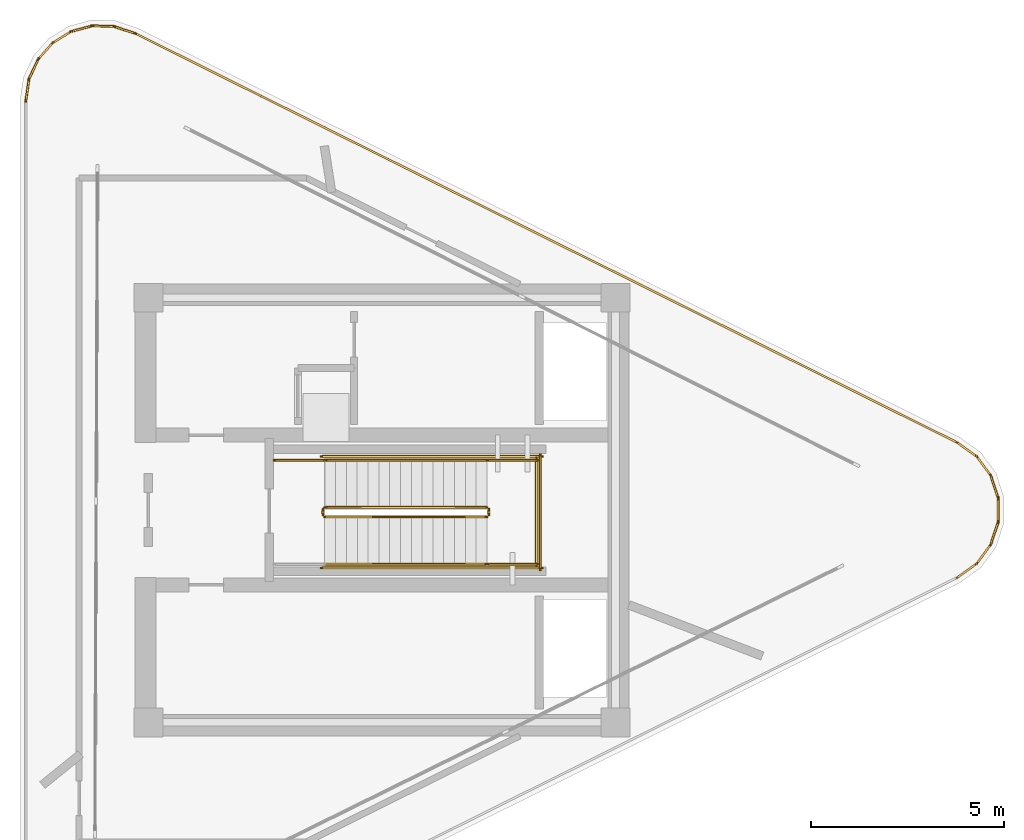
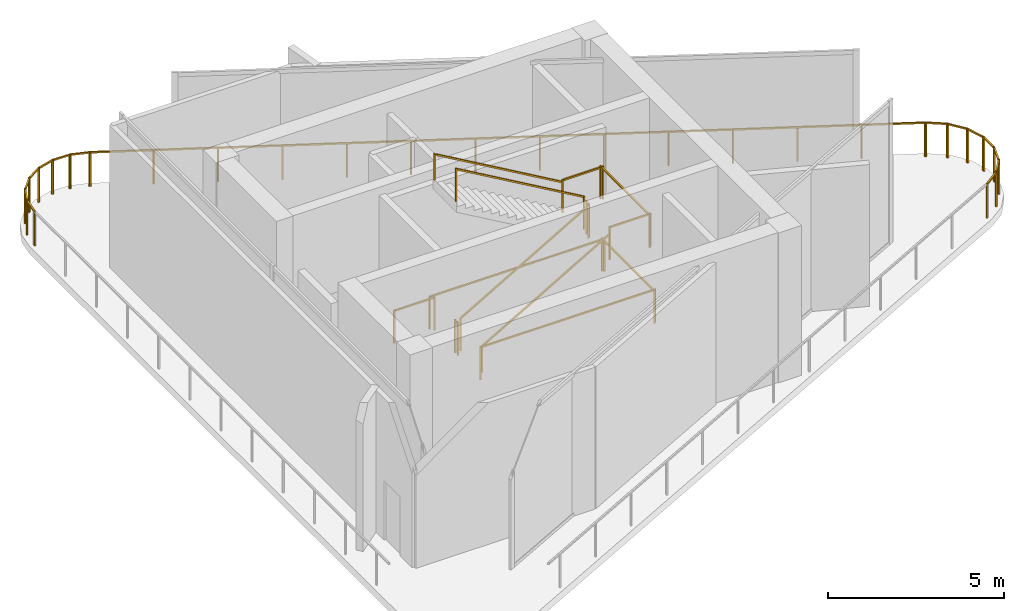
# One storey, part 4 of 5: 28 railings.
"""IFC4 building model written with IfcOpenShell, lengths in metres."""

import ifcopenshell
import ifcopenshell.guid

model = None  # the IFC model being written
_history = None  # IfcOwnerHistory: only IFC2X3 demands one
_inside = {}  # id of a spatial element -> (the spatial element, [elements in it])
_under = {}  # id of a project, library or spatial element -> (it, [spatial elements below it])
_declared = {}  # id of a project -> (the project, [libraries it declares])
_typed = {}  # id of a type object -> (the type object, [elements of that type])
_made_of = {}  # id of a material, layer set ... -> (it, [elements and type objects made of it])


def new_model(schema):
    """Start an empty IFC model of exactly this schema.

    Asked for "IFC4X3", IfcOpenShell would pick the latest addendum, in which some entities
    have other attributes; the version numbers below select the first issue.
    IFC2X3 requires an IfcOwnerHistory on every rooted entity: one is made here for all.
    """
    global model, _history
    if schema == "IFC4X3":
        model = ifcopenshell.file(schema_version=(4, 3, 0, 0))
    else:
        model = ifcopenshell.file(schema=schema)
    _inside.clear()
    _under.clear()
    _declared.clear()
    _typed.clear()
    _made_of.clear()
    _history = None
    if model.schema == "IFC2X3":
        org = make("IfcOrganization", Name="unknown")
        user = make(
            "IfcPersonAndOrganization",
            ThePerson=make("IfcPerson", FamilyName="unknown"),
            TheOrganization=org,
        )
        app = make(
            "IfcApplication",
            ApplicationDeveloper=org,
            Version="unknown",
            ApplicationFullName="unknown",
            ApplicationIdentifier="unknown",
        )
        _history = make(
            "IfcOwnerHistory",
            OwningUser=user,
            OwningApplication=app,
            ChangeAction="ADDED",
            CreationDate=0,
        )
    return model


def make(cls, **values):
    """One entity of the class cls with the attributes given. An attribute that is None is left unset."""
    return model.create_entity(
        cls, **{name: value for name, value in values.items() if value is not None}
    )


def rooted(cls, **values):
    """An entity with a GlobalId (a new one), such as an element, a storey or a relation."""
    return make(cls, GlobalId=ifcopenshell.guid.new(), OwnerHistory=_history, **values)


def si_unit(unit_type, name, prefix=None):
    """IfcSIUnit, for example si_unit("LENGTHUNIT", "METRE", prefix="MILLI")."""
    return make("IfcSIUnit", UnitType=unit_type, Prefix=prefix, Name=name)


def assignment(units):
    """IfcUnitAssignment: the units of a project."""
    return None if units is None else make("IfcUnitAssignment", Units=units)


def point(xyz):
    """IfcCartesianPoint."""
    return None if xyz is None else make("IfcCartesianPoint", Coordinates=xyz)


def direction(xyz):
    """IfcDirection."""
    return None if xyz is None else make("IfcDirection", DirectionRatios=xyz)


def frame(location, z_axis=None, x_axis=None):
    """IfcAxis2Placement3D, a coordinate frame: its origin and axes. An axis left out is left unset."""
    return make(
        "IfcAxis2Placement3D",
        Location=point(location),
        Axis=direction(z_axis),
        RefDirection=direction(x_axis),
    )


def frame_2d(location, x_axis=None):
    """IfcAxis2Placement2D, a coordinate frame in the plane: its origin and x axis."""
    return make(
        "IfcAxis2Placement2D", Location=point(location), RefDirection=direction(x_axis)
    )


def origin():
    """The frame at (0, 0, 0) with its axes left unset."""
    return frame((0.0, 0.0, 0.0))


def origin_2d():
    """The frame at (0, 0) in the plane with its x axis left unset."""
    return frame_2d((0.0, 0.0))


def place(relative_to, where):
    """IfcLocalPlacement: puts the frame where relative to a parent placement (None: the world)."""
    return make(
        "IfcLocalPlacement", PlacementRelTo=relative_to, RelativePlacement=where
    )


def context(
    kind, dimensions, precision=None, world=None, true_north=None, identifier=None
):
    """IfcGeometricRepresentationContext, for example the 3D "Model" context."""
    return make(
        "IfcGeometricRepresentationContext",
        ContextIdentifier=identifier,
        ContextType=kind,
        CoordinateSpaceDimension=dimensions,
        Precision=precision,
        WorldCoordinateSystem=world,
        TrueNorth=true_north,
    )


def subcontext(parent, identifier, kind, view, scale=None):
    """IfcGeometricRepresentationSubContext, for example "Body" below "Model"."""
    return make(
        "IfcGeometricRepresentationSubContext",
        ContextIdentifier=identifier,
        ContextType=kind,
        ParentContext=parent,
        TargetScale=scale,
        TargetView=view,
    )


def project(units=None, contexts=None):
    """IfcProject with its units and contexts."""
    return rooted(
        "IfcProject",
        Name="project",
        RepresentationContexts=contexts,
        UnitsInContext=assignment(units),
    )


def spatial(cls, under=None, at=None, **own):
    """A site, building, storey or space (cls), placed at a placement, below another one or the project."""
    s = rooted(cls, ObjectPlacement=at, **own)
    if under is not None:
        _under.setdefault(under.id(), (under, []))[1].append(s)
    return s


def profile(cls, at=None, kind="AREA", **sizes):
    """A parametric profile (cls). Its sizes go by their IFC names, for example OverallWidth=200.0."""
    return make(cls, ProfileType=kind, Position=at, **sizes)


def rectangle(**sizes):
    """IfcRectangleProfileDef."""
    return profile("IfcRectangleProfileDef", **sizes)


def extrude(swept, where, along, depth):
    """IfcExtrudedAreaSolid: the profile swept, set in the frame where, extruded along a direction by depth."""
    return make(
        "IfcExtrudedAreaSolid",
        SweptArea=swept,
        Position=where,
        ExtrudedDirection=direction(along),
        Depth=depth,
    )


def shape(context_of_items, identifier, shape_type, items):
    """IfcShapeRepresentation: the items that make up one representation, for example the "Body"."""
    return make(
        "IfcShapeRepresentation",
        ContextOfItems=context_of_items,
        RepresentationIdentifier=identifier,
        RepresentationType=shape_type,
        Items=items,
    )


def material(Name=None, Category=None):
    """IfcMaterial."""
    return make("IfcMaterial", Name=Name, Category=Category)


def made_of(thing, what):
    """Note that an element or type object is made of a material, layer set ...; save() writes the relation."""
    if what is not None:
        _made_of.setdefault(what.id(), (what, []))[1].append(thing)
    return thing


def type_object(cls, material=None, **own):
    """A type object (cls), such as IfcWallType, which elements share."""
    return made_of(rooted(cls, **own), material)


def element(
    cls,
    number,
    at=None,
    inside=None,
    cuts=None,
    type_object=None,
    material=None,
    context=None,
    identifier="Body",
    shape_type=None,
    held_by="IfcProductDefinitionShape",
    body=None,
    shapes=None,
    **own,
):
    """One element of the class cls, such as IfcWall. Its Tag is "e" and its number.

    at: its placement. inside: the storey or other place that contains it. cuts: it is an
    opening in that element (IfcRelVoidsElement). A single representation is given by context,
    identifier, shape_type and body (its items); several are given by shapes. held_by: the class
    of the entity that holds the representations. save() writes the other relations.
    """
    e = rooted(cls, Tag="e%d" % number, ObjectPlacement=at, **own)
    if body is not None:
        shapes = [shape(context, identifier, shape_type, body)]
    if shapes is not None:
        e.Representation = make(held_by, Representations=shapes)
    if inside is not None:
        _inside.setdefault(inside.id(), (inside, []))[1].append(e)
    if cuts is not None:
        rooted(
            "IfcRelVoidsElement", RelatingBuildingElement=cuts, RelatedOpeningElement=e
        )
    if type_object is not None:
        _typed.setdefault(type_object.id(), (type_object, []))[1].append(e)
    return made_of(e, material)


def aggregate(whole, parts):
    """IfcRelAggregates: a whole, such as a stair, and the parts it consists of."""
    return rooted("IfcRelAggregates", RelatingObject=whole, RelatedObjects=parts)


def save(model, path):
    """Write the relations noted so far, then the file.

    IfcRelAggregates (storeys below a building ...), IfcRelContainedInSpatialStructure (elements
    in a storey), IfcRelDefinesByType, IfcRelAssociatesMaterial and IfcRelDeclares: one each for
    every whole, place, type object, material and project.
    """
    for whole, parts in _under.values():
        aggregate(whole, parts)
    for where, things in _inside.values():
        rooted(
            "IfcRelContainedInSpatialStructure",
            RelatedElements=things,
            RelatingStructure=where,
        )
    for kind, things in _typed.values():
        rooted("IfcRelDefinesByType", RelatedObjects=things, RelatingType=kind)
    for what, things in _made_of.values():
        rooted("IfcRelAssociatesMaterial", RelatedObjects=things, RelatingMaterial=what)
    for by, libraries in _declared.values():
        rooted("IfcRelDeclares", RelatingContext=by, RelatedDefinitions=libraries)
    model.write(path)


model = new_model("IFC4")

# Units and contexts
model_context = context("Model", 3, precision=1e-05, world=origin(), true_north=direction((0.0, 1.0)))
body_context = subcontext(model_context, "Body", "Model", "MODEL_VIEW")
ifc_project = project(units=[si_unit("LENGTHUNIT", "METRE"), si_unit("AREAUNIT", "SQUARE_METRE"), si_unit("VOLUMEUNIT", "CUBIC_METRE"), si_unit("PLANEANGLEUNIT", "RADIAN"), si_unit("MASSUNIT", "GRAM", prefix="KILO")], contexts=[model_context])

# Site, building, storey
site_placement = place(None, origin())
site = spatial("IfcSite", under=ifc_project, at=site_placement, CompositionType="ELEMENT")
building_placement = place(site_placement, origin())
building = spatial("IfcBuilding", under=site, at=building_placement, Name="Yunling Apex Tower", CompositionType="ELEMENT")
storey_placement = place(building_placement, frame((0.0, 0.0, 328.25)))
storey = spatial("IfcBuildingStorey", under=building, at=storey_placement, Name="C03", CompositionType="ELEMENT", Elevation=328.25)

# Railings
ifc_material_1 = material(Name="Bronze anodised aluminium", Category="aluminium")
railing_type_1 = type_object("IfcRailingType", Name="RL-BAL-1200", PredefinedType="BALUSTRADE", material=ifc_material_1)
railing_1_placement = place(storey_placement, frame((-9.228515625, 10.58349609375, 0.0)))
element("IfcRailing", 1, at=railing_1_placement, inside=storey, type_object=railing_type_1, Name="RL-CRN-PERIM-C03-02", PredefinedType="BALUSTRADE", context=body_context, shape_type="SweptSolid", body=[
    extrude(rectangle(XDim=0.0439453125, YDim=0.0439453125, at=origin_2d()), origin(), (0.0, 0.0, 1.0), 1.199951171875),
    extrude(rectangle(XDim=0.0439453125, YDim=0.0439453125, at=origin_2d()), frame((0.08740234375, 0.59814453125, 0.0)), (0.0, 0.0, 1.0), 1.199951171875),
    extrude(rectangle(XDim=0.050048828125, YDim=0.050048828125, at=origin_2d()), frame((0.005615234375, 0.037841796875, 1.1748046875), z_axis=(0.144587007517, 0.989492090548, 0.0), x_axis=(-0.989492090548, 0.144587007517, 0.0)), (0.0, 0.0, 1.0), 0.52783203125),
])
railing_2_placement = place(storey_placement, frame((-9.1494140625, 11.1533203125, 0.0)))
element("IfcRailing", 2, at=railing_2_placement, inside=storey, type_object=railing_type_1, Name="RL-CRN-PERIM-C03-03", PredefinedType="BALUSTRADE", context=body_context, shape_type="SweptSolid", body=[
    extrude(rectangle(XDim=0.0439453125, YDim=0.0439453125, at=origin_2d()), origin(), (0.0, 0.0, 1.0), 1.199951171875),
    extrude(rectangle(XDim=0.0439453125, YDim=0.0439453125, at=origin_2d()), frame((0.25048828125, 0.538330078125, 0.0)), (0.0, 0.0, 1.0), 1.199951171875),
    extrude(rectangle(XDim=0.050048828125, YDim=0.050048828125, at=origin_2d()), frame((0.01611328125, 0.03466796875, 1.1748046875), z_axis=(0.42187225392, 0.906655282548, 0.0), x_axis=(-0.906655282548, 0.42187225392, 0.0)), (0.0, 0.0, 1.0), 0.51708984375),
])
railing_3_placement = place(storey_placement, frame((-8.915283203125, 11.6669921875, 0.0)))
element("IfcRailing", 3, at=railing_3_placement, inside=storey, type_object=railing_type_1, Name="RL-CRN-PERIM-C03-04", PredefinedType="BALUSTRADE", context=body_context, shape_type="SweptSolid", body=[
    extrude(rectangle(XDim=0.0439453125, YDim=0.0439453125, at=origin_2d()), origin(), (0.0, 0.0, 1.0), 1.199951171875),
    extrude(rectangle(XDim=0.0439453125, YDim=0.0439453125, at=origin_2d()), frame((0.394287109375, 0.44384765625, 0.0)), (0.0, 0.0, 1.0), 1.199951171875),
    extrude(rectangle(XDim=0.050048828125, YDim=0.050048828125, at=origin_2d()), frame((0.025390625, 0.028564453125, 1.1748046875), z_axis=(0.664134086681, 0.74761347962, 0.0), x_axis=(-0.74761347962, 0.664134086681, 0.0)), (0.0, 0.0, 1.0), 0.51708984375),
])
railing_4_placement = place(storey_placement, frame((-8.543701171875, 12.091796875, 0.0)))
element("IfcRailing", 4, at=railing_4_placement, inside=storey, type_object=railing_type_1, Name="RL-CRN-PERIM-C03-05", PredefinedType="BALUSTRADE", context=body_context, shape_type="SweptSolid", body=[
    extrude(rectangle(XDim=0.0439453125, YDim=0.0439453125, at=origin_2d()), origin(), (0.0, 0.0, 1.0), 1.199951171875),
    extrude(rectangle(XDim=0.0439453125, YDim=0.0439453125, at=origin_2d()), frame((0.504638671875, 0.3125, 0.0)), (0.0, 0.0, 1.0), 1.199951171875),
    extrude(rectangle(XDim=0.050048828125, YDim=0.050048828125, at=origin_2d()), frame((0.032470703125, 0.020263671875, 1.1748046875), z_axis=(0.850186245744, 0.526482048647, 0.0), x_axis=(-0.526482048647, 0.850186245744, 0.0)), (0.0, 0.0, 1.0), 0.516845703125),
])
railing_5_placement = place(storey_placement, frame((-8.066162109375, 12.392578125, 0.0)))
element("IfcRailing", 5, at=railing_5_placement, inside=storey, type_object=railing_type_1, Name="RL-CRN-PERIM-C03-06", PredefinedType="BALUSTRADE", context=body_context, shape_type="SweptSolid", body=[
    extrude(rectangle(XDim=0.0439453125, YDim=0.0439453125, at=origin_2d()), origin(), (0.0, 0.0, 1.0), 1.199951171875),
    extrude(rectangle(XDim=0.0439453125, YDim=0.0439453125, at=origin_2d()), frame((0.5732421875, 0.155029296875, 0.0)), (0.0, 0.0, 1.0), 1.199951171875),
    extrude(rectangle(XDim=0.050048828125, YDim=0.050048828125, at=origin_2d()), frame((0.037109375, 0.010009765625, 1.1748046875), z_axis=(0.965321400448, 0.261064348077, 0.0), x_axis=(-0.261064348077, 0.965321400448, 0.0)), (0.0, 0.0, 1.0), 0.51708984375),
])
railing_6_placement = place(storey_placement, frame((-7.5224609375, 12.544189453125, 0.0)))
element("IfcRailing", 6, at=railing_6_placement, inside=storey, type_object=railing_type_1, Name="RL-CRN-PERIM-C03-07", PredefinedType="BALUSTRADE", context=body_context, shape_type="SweptSolid", body=[
    extrude(rectangle(XDim=0.0439453125, YDim=0.0439453125, at=origin_2d()), origin(), (0.0, 0.0, 1.0), 1.199951171875),
    extrude(rectangle(XDim=0.0439453125, YDim=0.0439453125, at=origin_2d()), frame((0.593505859375, -0.015625, 0.0)), (0.0, 0.0, 1.0), 1.199951171875),
    extrude(rectangle(XDim=0.050048828125, YDim=0.050048828125, at=origin_2d()), frame((0.038330078125, -0.0009765625, 1.1748046875), z_axis=(0.999653634719, -0.026317495937, 0.0), x_axis=(0.026317495937, 0.999653634719, 0.0)), (0.0, 0.0, 1.0), 0.51708984375),
])
railing_7_placement = place(storey_placement, frame((-6.958251953125, 12.53369140625, 0.0)))
element("IfcRailing", 7, at=railing_7_placement, inside=storey, type_object=railing_type_1, Name="RL-CRN-PERIM-C03-08", PredefinedType="BALUSTRADE", context=body_context, shape_type="SweptSolid", body=[
    extrude(rectangle(XDim=0.0439453125, YDim=0.0439453125, at=origin_2d()), origin(), (0.0, 0.0, 1.0), 1.199951171875),
    extrude(rectangle(XDim=0.0439453125, YDim=0.0439453125, at=origin_2d()), frame((0.574951171875, -0.1884765625, 0.0)), (0.0, 0.0, 1.0), 1.199951171875),
    extrude(rectangle(XDim=0.050048828125, YDim=0.050048828125, at=origin_2d()), frame((0.036376953125, -0.011962890625, 1.1748046875), z_axis=(0.950245205917, -0.311502887035, 0.0), x_axis=(0.311502887035, 0.950245205917, 0.0)), (0.0, 0.0, 1.0), 0.5283203125),
])
railing_8_placement = place(storey_placement, frame((-6.4111328125, 12.356689453125, 0.0)))
element("IfcRailing", 8, at=railing_8_placement, inside=storey, type_object=railing_type_1, Name="RL-CRN-PERIM-C03-09", PredefinedType="BALUSTRADE", context=body_context, shape_type="SweptSolid", body=[
    extrude(rectangle(XDim=0.0439453125, YDim=0.0439453125, at=origin_2d()), origin(), (0.0, 0.0, 1.0), 1.199951171875),
    extrude(rectangle(XDim=0.0439453125, YDim=0.0439453125, at=origin_2d()), frame((21.322265625, -10.6123046875, 0.0)), (0.0, 0.0, 1.0), 1.199951171875),
    extrude(rectangle(XDim=0.050048828125, YDim=0.050048828125, at=origin_2d()), frame((0.034423828125, -0.01708984375, 1.1748046875), z_axis=(0.895245734682, -0.445572748868, 0.0), x_axis=(0.445572748868, 0.895245734682, 0.0)), (0.0, 0.0, 1.0), 23.740478515625),
    extrude(rectangle(XDim=0.0439453125, YDim=0.0439453125, at=origin_2d()), frame((1.64013671875, -0.81640625, 0.0)), (0.0, 0.0, 1.0), 1.14599609375),
    extrude(rectangle(XDim=0.0439453125, YDim=0.0439453125, at=origin_2d()), frame((3.2802734375, -1.632568359375, 0.0)), (0.0, 0.0, 1.0), 1.14599609375),
    extrude(rectangle(XDim=0.0439453125, YDim=0.0439453125, at=origin_2d()), frame((4.92041015625, -2.448974609375, 0.0)), (0.0, 0.0, 1.0), 1.14599609375),
    extrude(rectangle(XDim=0.0439453125, YDim=0.0439453125, at=origin_2d()), frame((6.560791015625, -3.265380859375, 0.0)), (0.0, 0.0, 1.0), 1.14599609375),
    extrude(rectangle(XDim=0.0439453125, YDim=0.0439453125, at=origin_2d()), frame((8.200927734375, -4.08154296875, 0.0)), (0.0, 0.0, 1.0), 1.14599609375),
    extrude(rectangle(XDim=0.0439453125, YDim=0.0439453125, at=origin_2d()), frame((9.841064453125, -4.89794921875, 0.0)), (0.0, 0.0, 1.0), 1.14599609375),
    extrude(rectangle(XDim=0.0439453125, YDim=0.0439453125, at=origin_2d()), frame((11.481201171875, -5.71435546875, 0.0)), (0.0, 0.0, 1.0), 1.14599609375),
    extrude(rectangle(XDim=0.0439453125, YDim=0.0439453125, at=origin_2d()), frame((13.121337890625, -6.53076171875, 0.0)), (0.0, 0.0, 1.0), 1.14599609375),
    extrude(rectangle(XDim=0.0439453125, YDim=0.0439453125, at=origin_2d()), frame((14.761474609375, -7.346923828125, 0.0)), (0.0, 0.0, 1.0), 1.14599609375),
    extrude(rectangle(XDim=0.0439453125, YDim=0.0439453125, at=origin_2d()), frame((16.40185546875, -8.163330078125, 0.0)), (0.0, 0.0, 1.0), 1.14599609375),
    extrude(rectangle(XDim=0.0439453125, YDim=0.0439453125, at=origin_2d()), frame((18.0419921875, -8.979736328125, 0.0)), (0.0, 0.0, 1.0), 1.14599609375),
    extrude(rectangle(XDim=0.0439453125, YDim=0.0439453125, at=origin_2d()), frame((19.68212890625, -9.7958984375, 0.0)), (0.0, 0.0, 1.0), 1.14599609375),
])
railing_9_placement = place(storey_placement, frame((14.885498046875, 1.759765625, 0.0)))
element("IfcRailing", 9, at=railing_9_placement, inside=storey, type_object=railing_type_1, Name="RL-CRN-PERIM-C03-10", PredefinedType="BALUSTRADE", context=body_context, shape_type="SweptSolid", body=[
    extrude(rectangle(XDim=0.0439453125, YDim=0.0439453125, at=origin_2d()), origin(), (0.0, 0.0, 1.0), 1.199951171875),
    extrude(rectangle(XDim=0.0439453125, YDim=0.0439453125, at=origin_2d()), frame((0.534423828125, -0.3818359375, 0.0)), (0.0, 0.0, 1.0), 1.199951171875),
    extrude(rectangle(XDim=0.050048828125, YDim=0.050048828125, at=origin_2d()), frame((0.03125, -0.022216796875, 1.1748046875), z_axis=(0.813658119144, -0.581343672152, 0.0), x_axis=(0.581343672152, 0.813658119144, 0.0)), (0.0, 0.0, 1.0), 0.580078125),
])
railing_10_placement = place(storey_placement, frame((15.39892578125, 1.39892578125, 0.0)))
element("IfcRailing", 10, at=railing_10_placement, inside=storey, type_object=railing_type_1, Name="RL-CRN-PERIM-C03-11", PredefinedType="BALUSTRADE", context=body_context, shape_type="SweptSolid", body=[
    extrude(rectangle(XDim=0.0439453125, YDim=0.0439453125, at=origin_2d()), origin(), (0.0, 0.0, 1.0), 1.199951171875),
    extrude(rectangle(XDim=0.0439453125, YDim=0.0439453125, at=origin_2d()), frame((0.3818359375, -0.51953125, 0.0)), (0.0, 0.0, 1.0), 1.199951171875),
    extrude(rectangle(XDim=0.050048828125, YDim=0.050048828125, at=origin_2d()), frame((0.022705078125, -0.031005859375, 1.1748046875), z_axis=(0.59221694839, -0.805778558935, 0.0), x_axis=(0.805778558935, 0.59221694839, 0.0)), (0.0, 0.0, 1.0), 0.568115234375),
])
railing_11_placement = place(storey_placement, frame((15.76708984375, 0.905517578125, 0.0)))
element("IfcRailing", 11, at=railing_11_placement, inside=storey, type_object=railing_type_1, Name="RL-CRN-PERIM-C03-12", PredefinedType="BALUSTRADE", context=body_context, shape_type="SweptSolid", body=[
    extrude(rectangle(XDim=0.0439453125, YDim=0.0439453125, at=origin_2d()), origin(), (0.0, 0.0, 1.0), 1.199951171875),
    extrude(rectangle(XDim=0.0439453125, YDim=0.0439453125, at=origin_2d()), frame((0.200927734375, -0.6123046875, 0.0)), (0.0, 0.0, 1.0), 1.199951171875),
    extrude(rectangle(XDim=0.050048828125, YDim=0.050048828125, at=origin_2d()), frame((0.011962890625, -0.036376953125, 1.1748046875), z_axis=(0.311791794291, -0.950150449673, 0.0), x_axis=(0.950150449673, 0.311791794291, 0.0)), (0.0, 0.0, 1.0), 0.56787109375),
])
railing_12_placement = place(storey_placement, frame((15.96337890625, 0.322265625, 0.0)))
element("IfcRailing", 12, at=railing_12_placement, inside=storey, type_object=railing_type_1, Name="RL-CRN-PERIM-C03-13", PredefinedType="BALUSTRADE", context=body_context, shape_type="SweptSolid", body=[
    extrude(rectangle(XDim=0.0439453125, YDim=0.0439453125, at=origin_2d()), origin(), (0.0, 0.0, 1.0), 1.199951171875),
    extrude(rectangle(XDim=0.0439453125, YDim=0.0439453125, at=origin_2d()), frame((0.0, -0.64453125, 0.0)), (0.0, 0.0, 1.0), 1.199951171875),
    extrude(rectangle(XDim=0.050048828125, YDim=0.050048828125, at=origin_2d()), frame((0.0, -0.038330078125, 1.1748046875), z_axis=(0.0, -1.0, 0.0), x_axis=(1.0, 0.0, 0.0)), (0.0, 0.0, 1.0), 0.56787109375),
])
railing_13_placement = place(storey_placement, frame((15.968017578125, -0.293212890625, 0.0)))
element("IfcRailing", 13, at=railing_13_placement, inside=storey, type_object=railing_type_1, Name="RL-CRN-PERIM-C03-14", PredefinedType="BALUSTRADE", context=body_context, shape_type="SweptSolid", body=[
    extrude(rectangle(XDim=0.0439453125, YDim=0.0439453125, at=origin_2d()), origin(), (0.0, 0.0, 1.0), 1.199951171875),
    extrude(rectangle(XDim=0.0439453125, YDim=0.0439453125, at=origin_2d()), frame((-0.200927734375, -0.6123046875, 0.0)), (0.0, 0.0, 1.0), 1.199951171875),
    extrude(rectangle(XDim=0.050048828125, YDim=0.050048828125, at=origin_2d()), frame((-0.011962890625, -0.036376953125, 1.1748046875), z_axis=(-0.311791794291, -0.950150449673, 0.0), x_axis=(0.950150449673, -0.311791794291, 0.0)), (0.0, 0.0, 1.0), 0.56787109375),
])
railing_14_placement = place(storey_placement, frame((15.78076171875, -0.87939453125, 0.0)))
element("IfcRailing", 14, at=railing_14_placement, inside=storey, type_object=railing_type_1, Name="RL-CRN-PERIM-C03-15", PredefinedType="BALUSTRADE", context=body_context, shape_type="SweptSolid", body=[
    extrude(rectangle(XDim=0.0439453125, YDim=0.0439453125, at=origin_2d()), origin(), (0.0, 0.0, 1.0), 1.199951171875),
    extrude(rectangle(XDim=0.0439453125, YDim=0.0439453125, at=origin_2d()), frame((-0.3818359375, -0.51953125, 0.0)), (0.0, 0.0, 1.0), 1.199951171875),
    extrude(rectangle(XDim=0.050048828125, YDim=0.050048828125, at=origin_2d()), frame((-0.022705078125, -0.031005859375, 1.1748046875), z_axis=(-0.59221694839, -0.805778558935, 0.0), x_axis=(0.805778558935, -0.59221694839, 0.0)), (0.0, 0.0, 1.0), 0.568115234375),
])
railing_15_placement = place(storey_placement, frame((15.419921875, -1.3779296875, 0.0)))
element("IfcRailing", 15, at=railing_15_placement, inside=storey, type_object=railing_type_1, Name="RL-CRN-PERIM-C03-16", PredefinedType="BALUSTRADE", context=body_context, shape_type="SweptSolid", body=[
    extrude(rectangle(XDim=0.0439453125, YDim=0.0439453125, at=origin_2d()), origin(), (0.0, 0.0, 1.0), 1.199951171875),
    extrude(rectangle(XDim=0.0439453125, YDim=0.0439453125, at=origin_2d()), frame((-0.534423828125, -0.3818359375, 0.0)), (0.0, 0.0, 1.0), 1.199951171875),
    extrude(rectangle(XDim=0.050048828125, YDim=0.050048828125, at=origin_2d()), frame((-0.03125, -0.022216796875, 1.1748046875), z_axis=(-0.813658119144, -0.581343672152, 0.0), x_axis=(0.581343672152, -0.813658119144, 0.0)), (0.0, 0.0, 1.0), 0.580078125),
])
ifc_material_2 = material(Name="Steel Q355B", Category="steel")
railing_type_2 = type_object("IfcRailingType", Name="RL-GRD-1150", PredefinedType="GUARDRAIL", material=ifc_material_2)
railing_16_placement = place(storey_placement, frame((-1.47998046875, -0.179931640625, 0.16259765625)))
element("IfcRailing", 16, at=railing_16_placement, inside=storey, type_object=railing_type_2, Name="C03 ST-C1 stair guard 1", PredefinedType="GUARDRAIL", context=body_context, shape_type="SweptSolid", body=[
    extrude(rectangle(XDim=0.0439453125, YDim=0.0439453125, at=origin_2d()), origin(), (0.0, 0.0, 1.0), 1.14990234375),
    extrude(rectangle(XDim=0.0439453125, YDim=0.0439453125, at=origin_2d()), frame((4.199951171875, 0.0, 2.4375)), (0.0, 0.0, 1.0), 1.14990234375),
    extrude(rectangle(XDim=0.050048828125, YDim=0.050048828125, at=origin_2d()), frame((0.033203125, 0.0, 1.14404296875), z_axis=(0.864894565338, 0.0, 0.501953574396), x_axis=(0.0, 1.0, 0.0)), (0.0, 0.0, 1.0), 4.779296875),
])
railing_17_placement = place(storey_placement, frame((2.77001953125, -0.1298828125, 2.60009765625)))
element("IfcRailing", 17, at=railing_17_placement, inside=storey, type_object=railing_type_2, Name="C03 ST-C1 stair guard 2", PredefinedType="GUARDRAIL", context=body_context, shape_type="SweptSolid", body=[
    extrude(rectangle(XDim=0.0439453125, YDim=0.0439453125, at=origin_2d()), origin(), (0.0, 0.0, 1.0), 1.14990234375),
    extrude(rectangle(XDim=0.0439453125, YDim=0.0439453125, at=origin_2d()), frame((0.0, 0.14990234375, 0.0)), (0.0, 0.0, 1.0), 1.14990234375),
    extrude(rectangle(XDim=0.050048828125, YDim=0.050048828125, at=origin_2d()), frame((0.0, 0.038330078125, 1.125), z_axis=(0.0, 1.0, 0.0), x_axis=(-1.0, 0.0, 0.0)), (0.0, 0.0, 1.0), 0.0732421875),
])
for number, where, name in (
    (18, (2.719970703125, -1.39990234375, 2.60009765625), "C03 ST-C1 stair guard 3"),
    (19, (2.719970703125, 1.2900390625, 2.60009765625), "C03 ST-C1 stair guard 4"),
):
    element("IfcRailing", number, at=place(storey_placement, frame(where)), inside=storey, type_object=railing_type_2, Name=name, PredefinedType="GUARDRAIL", context=body_context, shape_type="SweptSolid", body=[
        extrude(rectangle(XDim=0.0439453125, YDim=0.0439453125, at=origin_2d()), origin(), (0.0, 0.0, 1.0), 1.14990234375),
        extrude(rectangle(XDim=0.0439453125, YDim=0.0439453125, at=origin_2d()), frame((1.330078125, 0.0, 0.0)), (0.0, 0.0, 1.0), 1.14990234375),
        extrude(rectangle(XDim=0.050048828125, YDim=0.050048828125, at=origin_2d()), frame((0.038330078125, 0.0, 1.125), z_axis=(1.0, 0.0, 0.0), x_axis=(0.0, 1.0, 0.0)), (0.0, 0.0, 1.0), 1.25341796875),
    ])
railing_18_placement = place(storey_placement, frame((4.0, -1.449951171875, 2.60009765625)))
element("IfcRailing", 20, at=railing_18_placement, inside=storey, type_object=railing_type_2, Name="C03 ST-C1 stair guard 5", PredefinedType="GUARDRAIL", context=body_context, shape_type="SweptSolid", body=[
    extrude(rectangle(XDim=0.0439453125, YDim=0.0439453125, at=origin_2d()), origin(), (0.0, 0.0, 1.0), 1.14990234375),
    extrude(rectangle(XDim=0.0439453125, YDim=0.0439453125, at=origin_2d()), frame((0.0, 2.7900390625, 0.0)), (0.0, 0.0, 1.0), 1.14990234375),
    extrude(rectangle(XDim=0.050048828125, YDim=0.050048828125, at=origin_2d()), frame((0.0, 0.038330078125, 1.125), z_axis=(0.0, 1.0, 0.0), x_axis=(-1.0, 0.0, 0.0)), (0.0, 0.0, 1.0), 2.71337890625),
])
railing_19_placement = place(storey_placement, frame((2.719970703125, 0.070068359375, 2.762451171875)))
element("IfcRailing", 21, at=railing_19_placement, inside=storey, type_object=railing_type_2, Name="C03 ST-C1 stair guard 6", PredefinedType="GUARDRAIL", context=body_context, shape_type="SweptSolid", body=[
    extrude(rectangle(XDim=0.0439453125, YDim=0.0439453125, at=origin_2d()), origin(), (0.0, 0.0, 1.0), 1.14990234375),
    extrude(rectangle(XDim=0.0439453125, YDim=0.0439453125, at=origin_2d()), frame((-4.199951171875, 0.0, 2.4375)), (0.0, 0.0, 1.0), 1.14990234375),
    extrude(rectangle(XDim=0.050048828125, YDim=0.050048828125, at=origin_2d()), frame((-0.033203125, 0.0, 1.14404296875), z_axis=(-0.864894565338, 0.0, 0.501953574396), x_axis=(0.0, -1.0, 0.0)), (0.0, 0.0, 1.0), 4.779296875),
])
railing_20_placement = place(storey_placement, frame((-1.530029296875, -0.1298828125, 0.0)))
element("IfcRailing", 22, at=railing_20_placement, inside=storey, type_object=railing_type_2, Name="C03 ST-C1 stair guard 7", PredefinedType="GUARDRAIL", context=body_context, shape_type="SweptSolid", body=[
    extrude(rectangle(XDim=0.0439453125, YDim=0.0439453125, at=origin_2d()), origin(), (0.0, 0.0, 1.0), 1.14990234375),
    extrude(rectangle(XDim=0.0439453125, YDim=0.0439453125, at=origin_2d()), frame((0.0, 0.14990234375, 0.0)), (0.0, 0.0, 1.0), 1.14990234375),
    extrude(rectangle(XDim=0.050048828125, YDim=0.050048828125, at=origin_2d()), frame((0.0, 0.038330078125, 1.125), z_axis=(0.0, 1.0, 0.0), x_axis=(-1.0, 0.0, 0.0)), (0.0, 0.0, 1.0), 0.0732421875),
])
railing_21_placement = place(storey_placement, frame((-2.800048828125, 1.2900390625, 0.0)))
element("IfcRailing", 23, at=railing_21_placement, inside=storey, type_object=railing_type_2, Name="C03 ST-C1 stair guard 9", PredefinedType="GUARDRAIL", context=body_context, shape_type="SweptSolid", body=[
    extrude(rectangle(XDim=0.0439453125, YDim=0.0439453125, at=origin_2d()), origin(), (0.0, 0.0, 1.0), 1.14990234375),
    extrude(rectangle(XDim=0.0439453125, YDim=0.0439453125, at=origin_2d()), frame((1.320068359375, 0.0, 0.0)), (0.0, 0.0, 1.0), 1.14990234375),
    extrude(rectangle(XDim=0.050048828125, YDim=0.050048828125, at=origin_2d()), frame((0.038330078125, 0.0, 1.125), z_axis=(1.0, 0.0, 0.0), x_axis=(0.0, 1.0, 0.0)), (0.0, 0.0, 1.0), 1.243408203125),
])
for number, where, name in (
    (24, (-1.580078125, -1.5, 0.0), "C03 ST-C1 stair guard 10"),
    (25, (-1.580078125, 1.389892578125, 0.0), "C03 ST-C1 stair guard 11"),
):
    element("IfcRailing", number, at=place(storey_placement, frame(where)), inside=storey, type_object=railing_type_2, Name=name, PredefinedType="GUARDRAIL", context=body_context, shape_type="SweptSolid", body=[
        extrude(rectangle(XDim=0.0439453125, YDim=0.0439453125, at=origin_2d()), origin(), (0.0, 0.0, 1.0), 1.14990234375),
        extrude(rectangle(XDim=0.0439453125, YDim=0.0439453125, at=origin_2d()), frame((5.72998046875, 0.0, 0.0)), (0.0, 0.0, 1.0), 1.14990234375),
        extrude(rectangle(XDim=0.050048828125, YDim=0.050048828125, at=origin_2d()), frame((0.038330078125, 0.0, 1.125), z_axis=(1.0, 0.0, 0.0), x_axis=(0.0, 1.0, 0.0)), (0.0, 0.0, 1.0), 5.6533203125),
    ])
railing_22_placement = place(storey_placement, frame((4.10009765625, -1.550048828125, 0.0)))
element("IfcRailing", 26, at=railing_22_placement, inside=storey, type_object=railing_type_2, Name="C03 ST-C1 stair guard 12", PredefinedType="GUARDRAIL", context=body_context, shape_type="SweptSolid", body=[
    extrude(rectangle(XDim=0.0439453125, YDim=0.0439453125, at=origin_2d()), origin(), (0.0, 0.0, 1.0), 1.14990234375),
    extrude(rectangle(XDim=0.0439453125, YDim=0.0439453125, at=origin_2d()), frame((0.0, 2.989990234375, 0.0)), (0.0, 0.0, 1.0), 1.14990234375),
    extrude(rectangle(XDim=0.050048828125, YDim=0.050048828125, at=origin_2d()), frame((0.0, 0.038330078125, 1.125), z_axis=(0.0, 1.0, 0.0), x_axis=(-1.0, 0.0, 0.0)), (0.0, 0.0, 1.0), 2.913330078125),
])
ifc_material_3 = material(Name="Silver anodised aluminium", Category="aluminium")
railing_type_3 = type_object("IfcRailingType", Name="RL-HND-900", PredefinedType="HANDRAIL", material=ifc_material_3)
railing_23_placement = place(storey_placement, frame((-1.47998046875, -1.39990234375, 0.16259765625)))
element("IfcRailing", 27, at=railing_23_placement, inside=storey, type_object=railing_type_3, Name="C03 ST-C1 stair handrail 1", PredefinedType="HANDRAIL", context=body_context, shape_type="SweptSolid", body=[
    extrude(rectangle(XDim=0.0439453125, YDim=0.0439453125, at=origin_2d()), origin(), (0.0, 0.0, 1.0), 0.919921875),
    extrude(rectangle(XDim=0.0439453125, YDim=0.0439453125, at=origin_2d()), frame((4.199951171875, 0.0, 2.4375)), (0.0, 0.0, 1.0), 0.919921875),
    extrude(rectangle(XDim=0.050048828125, YDim=0.050048828125, at=origin_2d()), frame((0.033203125, 0.0, 0.9140625), z_axis=(0.864894565338, 0.0, 0.501953574396), x_axis=(0.0, 1.0, 0.0)), (0.0, 0.0, 1.0), 4.779296875),
])
railing_24_placement = place(storey_placement, frame((2.719970703125, 1.2900390625, 2.762451171875)))
element("IfcRailing", 28, at=railing_24_placement, inside=storey, type_object=railing_type_3, Name="C03 ST-C1 stair handrail 2", PredefinedType="HANDRAIL", context=body_context, shape_type="SweptSolid", body=[
    extrude(rectangle(XDim=0.0439453125, YDim=0.0439453125, at=origin_2d()), origin(), (0.0, 0.0, 1.0), 0.919921875),
    extrude(rectangle(XDim=0.0439453125, YDim=0.0439453125, at=origin_2d()), frame((-4.199951171875, 0.0, 2.4375)), (0.0, 0.0, 1.0), 0.919921875),
    extrude(rectangle(XDim=0.050048828125, YDim=0.050048828125, at=origin_2d()), frame((-0.033203125, 0.0, 0.9140625), z_axis=(-0.864894565338, 0.0, 0.501953574396), x_axis=(0.0, -1.0, 0.0)), (0.0, 0.0, 1.0), 4.779296875),
])

save(model, "model.ifc")
